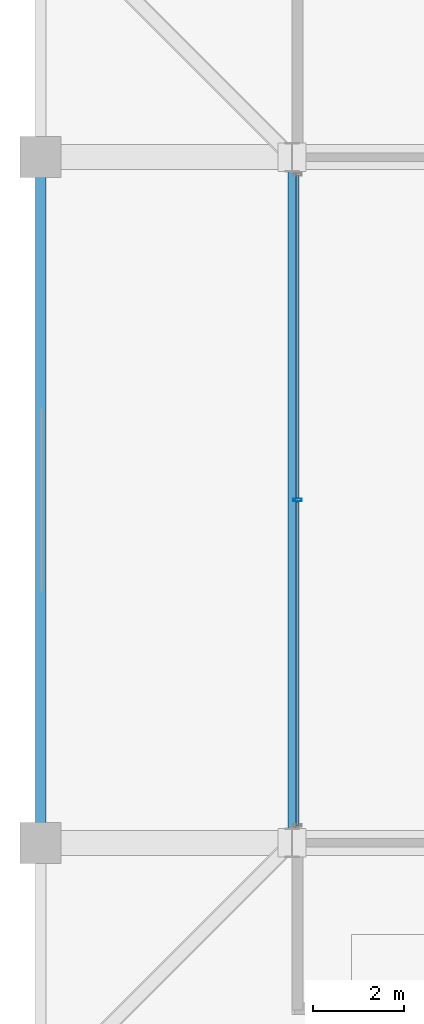
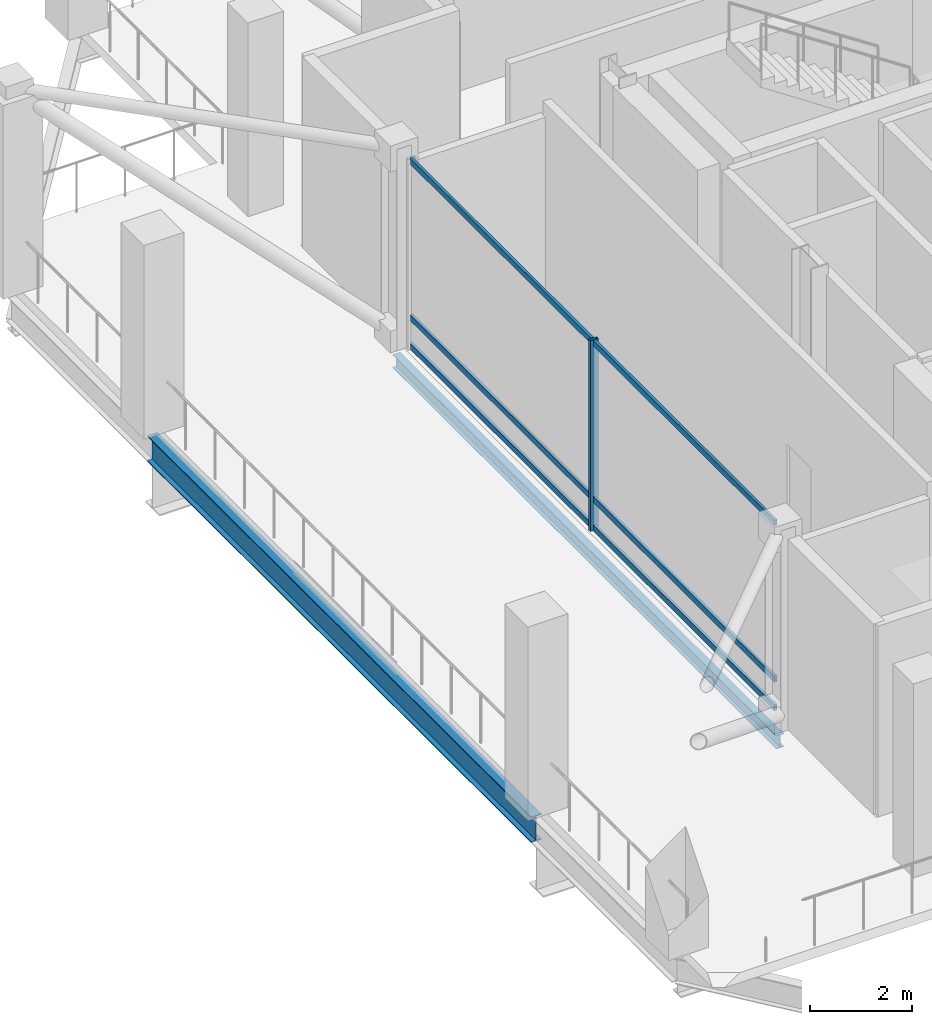
# One storey, part 5 of 17: 7 members, 2 beams, 1 element without a shape of its own.
"""IFC4 building model written with IfcOpenShell, lengths in metres."""

from ifc_helpers import new_model, si_unit, direction, frame, origin, origin_2d, place, context, subcontext, project, spatial, hollow_rectangle, i_section, extrude, material, layer, layer_set, material_profile, profile_set, type_object, element, aggregate, save


model = new_model("IFC4")

# Units and contexts
model_context = context("Model", 3, precision=1e-05, world=origin(), true_north=direction((0.0, 1.0)))
body_context = subcontext(model_context, "Body", "Model", "MODEL_VIEW")
ifc_project = project(units=[si_unit("LENGTHUNIT", "METRE"), si_unit("AREAUNIT", "SQUARE_METRE"), si_unit("VOLUMEUNIT", "CUBIC_METRE"), si_unit("PLANEANGLEUNIT", "RADIAN"), si_unit("MASSUNIT", "GRAM", prefix="KILO")], contexts=[model_context])

# Site, building, storey
site_placement = place(None, origin())
site = spatial("IfcSite", under=ifc_project, at=site_placement, CompositionType="ELEMENT")
building_placement = place(site_placement, origin())
building = spatial("IfcBuilding", under=site, at=building_placement, Name="Barlavira Tower and Art Museum", CompositionType="ELEMENT")
storey_placement = place(building_placement, frame((0.0, 0.0, 305.10009765625)))
storey = spatial("IfcBuildingStorey", under=building, at=storey_placement, Name="L80", CompositionType="ELEMENT", Elevation=305.10009765625)

# Beam
ifc_material_1 = material(Name="Steel S355", Category="steel")
ifc_material_profile_1 = material_profile(ifc_material_1, i_section(OverallWidth=0.1669921875, OverallDepth=0.31689453125, WebThickness=0.007568359375, FlangeThickness=0.01318359375, at=origin_2d()), Name="W310x52.0")
ifc_profile_set_1 = profile_set([ifc_material_profile_1], Name="Steel S355")
beam_type_1 = type_object("IfcBeamType", Name="Crown Floor Joist W310x52 Steel S355", PredefinedType="JOIST", material=ifc_profile_set_1)
beam_1_placement = place(storey_placement, frame((-11.5, -7.5, -0.45849609375), z_axis=(0.0, 1.0, 0.0), x_axis=(-1.0, 0.0, 0.0)))
element("IfcBeam", 1, at=beam_1_placement, inside=storey, type_object=beam_type_1, Name="L80 Joist W1", PredefinedType="JOIST", context=body_context, shape_type="SweptSolid", body=[
    extrude(i_section(OverallWidth=0.1669921875, OverallDepth=0.31689453125, WebThickness=0.007568359375, FlangeThickness=0.01318359375, at=origin_2d()), origin(), (0.0, 0.0, 1.0), 15.0),
])

# Curtain wall, members
ifc_material_2 = material(Name="Low-iron coastal laminated glass", Category="glass")
ifc_layer = layer(ifc_material_2, 0.22998046875, Name="Low-iron coastal laminated glass")
ifc_layer_set = layer_set([ifc_layer], Name="Low-iron coastal laminated glass")
curtain_wall_type = type_object("IfcCurtainWallType", Name="Winter-Garden Conservatory Glazed Curtain Wall", PredefinedType="NOTDEFINED", material=ifc_layer_set)
curtain_wall_placement = place(storey_placement, origin())
curtain_wall = element("IfcCurtainWall", 2, at=curtain_wall_placement, inside=storey, type_object=curtain_wall_type, Name="L80 Curtain Wall CW7-L80-W-B2", PredefinedType="NOTDEFINED")
ifc_material_3 = material(Name="Pale anodised aluminium", Category="aluminium")
ifc_material_profile_2 = material_profile(ifc_material_3, hollow_rectangle(XDim=0.06494140625, YDim=0.179931640625, WallThickness=0.00390625, at=origin_2d()), Name="ALU-MULL 65x180x4")
ifc_profile_set_2 = profile_set([ifc_material_profile_2], Name="Pale anodised aluminium")
member_type_1 = type_object("IfcMemberType", Name="Curtain Wall Pale-Metal Mullion 65x180", PredefinedType="MULLION", material=ifc_profile_set_2)
member_1_placement = place(storey_placement, frame((-11.3798828125, 0.0, 0.0), z_axis=(0.0, 0.0, 1.0), x_axis=(0.0, -1.0, 0.0)))
member_1 = element("IfcMember", 3, at=member_1_placement, type_object=member_type_1, Name="CW7-L80-W-B2 Mullion 1", PredefinedType="MULLION", context=body_context, shape_type="SweptSolid", body=[
    extrude(hollow_rectangle(XDim=0.06494140625, YDim=0.179931640625, WallThickness=0.00390625, at=origin_2d()), origin(), (0.0, 0.0, 1.0), 4.5498046875),
])
ifc_material_profile_3 = material_profile(ifc_material_3, hollow_rectangle(XDim=0.06494140625, YDim=0.139892578125, WallThickness=0.00390625, at=origin_2d()), Name="ALU-TRAN 65x140x4")
ifc_profile_set_3 = profile_set([ifc_material_profile_3], Name="Pale anodised aluminium")
member_type_2 = type_object("IfcMemberType", Name="Curtain Wall Pale-Metal Transom 65x140", PredefinedType="USERDEFINED", material=ifc_profile_set_3)
member_2_placement = place(storey_placement, frame((-11.3798828125, 7.12060546875, 0.06982421875), z_axis=(0.0, -1.0, 0.0), x_axis=(1.0, 0.0, 0.0)))
member_2 = element("IfcMember", 4, at=member_2_placement, type_object=member_type_2, Name="CW7-L80-W-B2 Transom 0.1", ObjectType="TRANSOM", PredefinedType="USERDEFINED", context=body_context, shape_type="SweptSolid", body=[
    extrude(hollow_rectangle(XDim=0.06494140625, YDim=0.139892578125, WallThickness=0.00390625, at=origin_2d()), origin(), (0.0, 0.0, 1.0), 7.07568359375),
])
member_3_placement = place(storey_placement, frame((-11.3798828125, 7.12060546875, 0.75), z_axis=(0.0, -1.0, 0.0), x_axis=(1.0, 0.0, 0.0)))
member_3 = element("IfcMember", 5, at=member_3_placement, type_object=member_type_2, Name="CW7-L80-W-B2 Transom 0.2", ObjectType="TRANSOM", PredefinedType="USERDEFINED", context=body_context, shape_type="SweptSolid", body=[
    extrude(hollow_rectangle(XDim=0.06494140625, YDim=0.139892578125, WallThickness=0.00390625, at=origin_2d()), origin(), (0.0, 0.0, 1.0), 7.07568359375),
])
member_4_placement = place(storey_placement, frame((-11.3798828125, 7.12060546875, 4.47998046875), z_axis=(0.0, -1.0, 0.0), x_axis=(1.0, 0.0, 0.0)))
member_4 = element("IfcMember", 6, at=member_4_placement, type_object=member_type_2, Name="CW7-L80-W-B2 Transom 0.3", ObjectType="TRANSOM", PredefinedType="USERDEFINED", context=body_context, shape_type="SweptSolid", body=[
    extrude(hollow_rectangle(XDim=0.06494140625, YDim=0.139892578125, WallThickness=0.00390625, at=origin_2d()), origin(), (0.0, 0.0, 1.0), 7.07568359375),
])
member_5_placement = place(storey_placement, frame((-11.3798828125, -0.044921875, 0.06982421875), z_axis=(0.0, -1.0, 0.0), x_axis=(1.0, 0.0, 0.0)))
member_5 = element("IfcMember", 7, at=member_5_placement, type_object=member_type_2, Name="CW7-L80-W-B2 Transom 1.1", ObjectType="TRANSOM", PredefinedType="USERDEFINED", context=body_context, shape_type="SweptSolid", body=[
    extrude(hollow_rectangle(XDim=0.06494140625, YDim=0.139892578125, WallThickness=0.00390625, at=origin_2d()), origin(), (0.0, 0.0, 1.0), 7.07568359375),
])
member_6_placement = place(storey_placement, frame((-11.3798828125, -0.044921875, 0.75), z_axis=(0.0, -1.0, 0.0), x_axis=(1.0, 0.0, 0.0)))
member_6 = element("IfcMember", 8, at=member_6_placement, type_object=member_type_2, Name="CW7-L80-W-B2 Transom 1.2", ObjectType="TRANSOM", PredefinedType="USERDEFINED", context=body_context, shape_type="SweptSolid", body=[
    extrude(hollow_rectangle(XDim=0.06494140625, YDim=0.139892578125, WallThickness=0.00390625, at=origin_2d()), origin(), (0.0, 0.0, 1.0), 7.07568359375),
])
member_7_placement = place(storey_placement, frame((-11.3798828125, -0.044921875, 4.47998046875), z_axis=(0.0, -1.0, 0.0), x_axis=(1.0, 0.0, 0.0)))
member_7 = element("IfcMember", 9, at=member_7_placement, type_object=member_type_2, Name="CW7-L80-W-B2 Transom 1.3", ObjectType="TRANSOM", PredefinedType="USERDEFINED", context=body_context, shape_type="SweptSolid", body=[
    extrude(hollow_rectangle(XDim=0.06494140625, YDim=0.139892578125, WallThickness=0.00390625, at=origin_2d()), origin(), (0.0, 0.0, 1.0), 7.07568359375),
])
aggregate(curtain_wall, [member_1, member_2, member_3, member_4, member_5, member_6, member_7])

# Beam
ifc_material_profile_4 = material_profile(ifc_material_1, i_section(OverallWidth=0.22998046875, OverallDepth=0.616943359375, WebThickness=0.01318359375, FlangeThickness=0.022216796875, at=origin_2d()), Name="W610x140.0")
ifc_profile_set_4 = profile_set([ifc_material_profile_4], Name="Steel S355")
beam_type_2 = type_object("IfcBeamType", Name="Upper Shaft Spandrel Edge Beam W610x140 Steel S355", PredefinedType="SPANDREL", material=ifc_profile_set_4)
beam_2_placement = place(storey_placement, frame((-17.0, -7.5, -0.608642578125), z_axis=(0.0, 1.0, 0.0), x_axis=(-1.0, 0.0, 0.0)))
element("IfcBeam", 10, at=beam_2_placement, inside=storey, type_object=beam_type_2, Name="L80 Spandrel 14", PredefinedType="SPANDREL", context=body_context, shape_type="SweptSolid", body=[
    extrude(i_section(OverallWidth=0.22998046875, OverallDepth=0.616943359375, WebThickness=0.01318359375, FlangeThickness=0.022216796875, at=origin_2d()), origin(), (0.0, 0.0, 1.0), 15.0),
])

save(model, "model.ifc")
